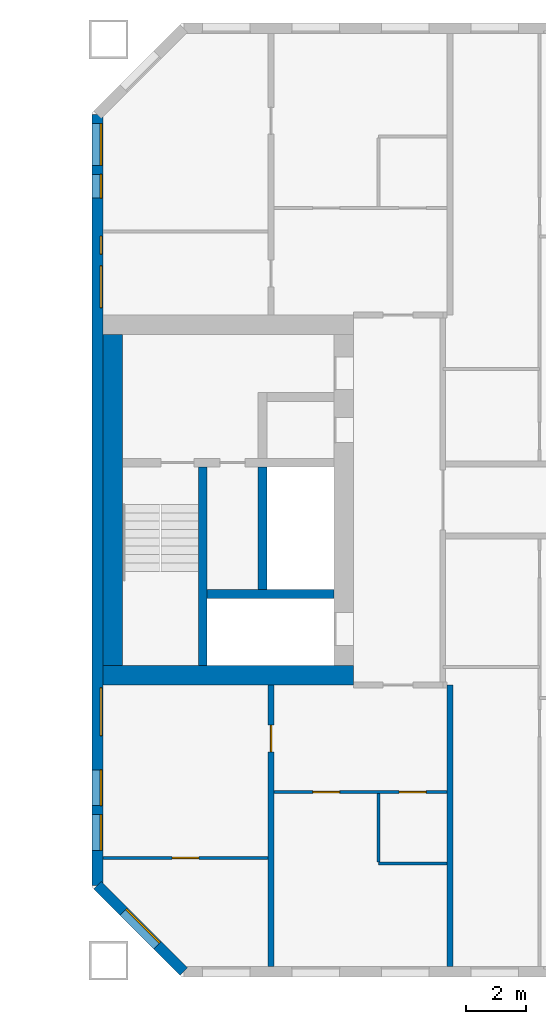
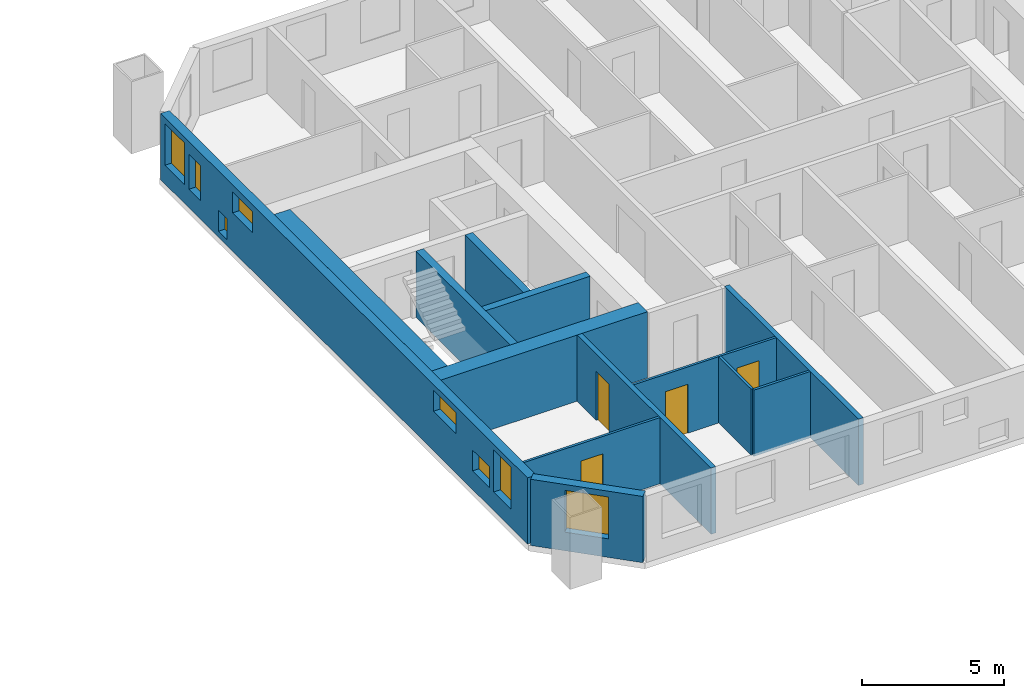
# One storey, part 9 of 17: 13 walls, 8 windows, 4 doors, 12 openings.
"""IFC4 building model written with IfcOpenShell, lengths in metres."""

from ifc_helpers import new_model, si_unit, direction, frame, frame_2d, origin, place, context, subcontext, project, spatial, rectangle, extrude, material, layer, layer_set, type_object, element, fill, save


model = new_model("IFC4")

# Units and contexts
model_context = context("Model", 3, precision=1e-05, world=origin(), true_north=direction((0.0, 1.0)))
body_context = subcontext(model_context, "Body", "Model", "MODEL_VIEW")
ifc_project = project(units=[si_unit("LENGTHUNIT", "METRE"), si_unit("AREAUNIT", "SQUARE_METRE"), si_unit("VOLUMEUNIT", "CUBIC_METRE"), si_unit("PLANEANGLEUNIT", "RADIAN"), si_unit("MASSUNIT", "GRAM", prefix="KILO")], contexts=[model_context])

# Site, building, storey
site_placement = place(None, origin())
site = spatial("IfcSite", under=ifc_project, at=site_placement, CompositionType="ELEMENT")
building_placement = place(site_placement, origin())
building = spatial("IfcBuilding", under=site, at=building_placement, Name="Tuart Gate Housing", CompositionType="ELEMENT")
storey_placement = place(building_placement, frame((0.0, 0.0, 108.800048828125)))
storey = spatial("IfcBuildingStorey", under=building, at=storey_placement, Name="L30", CompositionType="ELEMENT", Elevation=108.800048828125)

# Wall, opening, window
ifc_material_1 = material(Name="Brick", Category="masonry")
ifc_layer_1 = layer(ifc_material_1, 0.360107421875)
ifc_layer_set_1 = layer_set([ifc_layer_1], Name="Brick pier and spandrel wall 360")
wall_type_1 = type_object("IfcWallType", Name="Brick pier and spandrel wall 360", PredefinedType="STANDARD", material=ifc_layer_set_1)
wall_1_placement = place(storey_placement, frame((131.179931640625, 57.07470703125, 0.0), z_axis=(0.0, 0.0, 1.0), x_axis=(0.707106781187, -0.707106781187, 0.0)))
wall_1 = element("IfcWall", 1, at=wall_1_placement, inside=storey, type_object=wall_type_1, Name="External wall B-SW L30", PredefinedType="STANDARD", context=body_context, shape_type="SweptSolid", body=[
    extrude(rectangle(XDim=4.09375, YDim=0.360107421875, at=frame_2d((2.046875, 0.0))), origin(), (0.0, 0.0, 1.0), 2.849853515625),
])
opening_1_placement = place(wall_1_placement, frame((1.2470703125, 0.0, 0.800048828125)))
opening_1 = element("IfcOpeningElement", 2, at=opening_1_placement, cuts=wall_1, Name="Opening W1", PredefinedType="OPENING", context=body_context, shape_type="SweptSolid", body=[
    extrude(rectangle(XDim=1.60009765625, YDim=1.800048828125, at=frame_2d((0.800048828125, 0.89990234375))), frame((0.0, 0.18994140625, 0.0), z_axis=(0.0, -1.0, 0.0), x_axis=(1.0, 0.0, 0.0)), (0.0, 0.0, 1.0), 0.380126953125),
])
ifc_material_2 = material(Name="Aluminium frame with clear glass", Category="aluminium")
window_type_1 = type_object("IfcWindowType", Name="Punched window 1600 x 1800", PartitioningType="SINGLE_PANEL", PredefinedType="WINDOW", material=ifc_material_2)
window_1_placement = place(opening_1_placement, origin())
window_1 = element("IfcWindow", 3, at=window_1_placement, inside=storey, type_object=window_type_1, Name="Window W1", OverallHeight=1.800048828125, OverallWidth=1.60009765625, PartitioningType="SINGLE_PANEL", PredefinedType="WINDOW", context=body_context, shape_type="SweptSolid", body=[
    extrude(rectangle(XDim=1.60009765625, YDim=1.800048828125, at=frame_2d((0.800048828125, 0.89990234375))), frame((0.0, 0.150146484375, 0.0), z_axis=(0.0, -1.0, 0.0), x_axis=(1.0, 0.0, 0.0)), (0.0, 0.0, 1.0), 0.06005859375),
])
fill(opening_1, window_1)

# Wall, openings, windows
wall_2_placement = place(storey_placement, frame((131.179931640625, 82.92529296875, 0.0), z_axis=(0.0, 0.0, 1.0), x_axis=(0.0, -1.0, 0.0)))
wall_2 = element("IfcWall", 4, at=wall_2_placement, inside=storey, type_object=wall_type_1, Name="External wall B-W L30", PredefinedType="STANDARD", context=body_context, shape_type="SweptSolid", body=[
    extrude(rectangle(XDim=25.850830078125, YDim=0.360107421875, at=frame_2d((12.92529296875, 0.0))), origin(), (0.0, 0.0, 1.0), 2.849853515625),
])
opening_2_placement = place(wall_2_placement, frame((0.300048828125, 0.0, 0.800048828125)))
opening_2 = element("IfcOpeningElement", 5, at=opening_2_placement, cuts=wall_2, Name="Opening W1A", PredefinedType="OPENING", context=body_context, shape_type="SweptSolid", body=[
    extrude(rectangle(XDim=1.39990234375, YDim=1.800048828125, at=frame_2d((0.699951171875, 0.89990234375))), frame((0.0, 0.18994140625, 0.0), z_axis=(0.0, -1.0, 0.0), x_axis=(1.0, 0.0, 0.0)), (0.0, 0.0, 1.0), 0.380126953125),
])
opening_3_placement = place(wall_2_placement, frame((4.075439453125, 0.0, 0.25)))
opening_3 = element("IfcOpeningElement", 6, at=opening_3_placement, cuts=wall_2, Name="Opening W1W", PredefinedType="OPENING", context=body_context, shape_type="SweptSolid", body=[
    extrude(rectangle(XDim=0.60009765625, YDim=0.89990234375, at=frame_2d((0.300048828125, 0.449951171875))), frame((0.0, 0.18994140625, 0.0), z_axis=(0.0, -1.0, 0.0), x_axis=(1.0, 0.0, 0.0)), (0.0, 0.0, 1.0), 0.380126953125),
])
opening_4_placement = place(wall_2_placement, frame((19.225341796875, 0.0, 1.699951171875)))
opening_4 = element("IfcOpeningElement", 7, at=opening_4_placement, cuts=wall_2, Name="Opening W1R", PredefinedType="OPENING", context=body_context, shape_type="SweptSolid", body=[
    extrude(rectangle(XDim=1.60009765625, YDim=0.89990234375, at=frame_2d((0.800048828125, 0.449951171875))), frame((0.0, 0.18994140625, 0.0), z_axis=(0.0, -1.0, 0.0), x_axis=(1.0, 0.0, 0.0)), (0.0, 0.0, 1.0), 0.380126953125),
])
opening_5_placement = place(wall_2_placement, frame((21.975341796875, 0.0, 0.800048828125)))
opening_5 = element("IfcOpeningElement", 8, at=opening_5_placement, cuts=wall_2, Name="Opening W1T", PredefinedType="OPENING", context=body_context, shape_type="SweptSolid", body=[
    extrude(rectangle(XDim=1.199951171875, YDim=0.89990234375, at=frame_2d((0.60009765625, 0.449951171875))), frame((0.0, 0.18994140625, 0.0), z_axis=(0.0, -1.0, 0.0), x_axis=(1.0, 0.0, 0.0)), (0.0, 0.0, 1.0), 0.380126953125),
])
opening_6_placement = place(wall_2_placement, frame((2.0, 0.0, 0.800048828125)))
opening_6 = element("IfcOpeningElement", 9, at=opening_6_placement, cuts=wall_2, Name="Opening W1J", PredefinedType="OPENING", context=body_context, shape_type="SweptSolid", body=[
    extrude(rectangle(XDim=0.800048828125, YDim=1.5, at=frame_2d((0.39990234375, 0.75))), frame((0.0, 0.18994140625, 0.0), z_axis=(0.0, -1.0, 0.0), x_axis=(1.0, 0.0, 0.0)), (0.0, 0.0, 1.0), 0.380126953125),
])
opening_7_placement = place(wall_2_placement, frame((5.075439453125, 0.0, 1.64990234375)))
opening_7 = element("IfcOpeningElement", 10, at=opening_7_placement, cuts=wall_2, Name="Opening W1S", PredefinedType="OPENING", context=body_context, shape_type="SweptSolid", body=[
    extrude(rectangle(XDim=1.39990234375, YDim=0.89990234375, at=frame_2d((0.699951171875, 0.449951171875))), frame((0.0, 0.18994140625, 0.0), z_axis=(0.0, -1.0, 0.0), x_axis=(1.0, 0.0, 0.0)), (0.0, 0.0, 1.0), 0.380126953125),
])
opening_8_placement = place(wall_2_placement, frame((23.475341796875, 0.0, 0.800048828125)))
opening_8 = element("IfcOpeningElement", 11, at=opening_8_placement, cuts=wall_2, Name="Opening W1B", PredefinedType="OPENING", context=body_context, shape_type="SweptSolid", body=[
    extrude(rectangle(XDim=1.199951171875, YDim=1.800048828125, at=frame_2d((0.60009765625, 0.89990234375))), frame((0.0, 0.18994140625, 0.0), z_axis=(0.0, -1.0, 0.0), x_axis=(1.0, 0.0, 0.0)), (0.0, 0.0, 1.0), 0.380126953125),
])
ifc_material_3 = material(Name="Aluminium frame with clear glass", Category="aluminium")
window_type_2 = type_object("IfcWindowType", Name="Punched window 1200 x 1800", PartitioningType="SINGLE_PANEL", PredefinedType="WINDOW", material=ifc_material_3)
window_2_placement = place(opening_8_placement, origin())
window_2 = element("IfcWindow", 12, at=window_2_placement, inside=storey, type_object=window_type_2, Name="Window W1B", OverallHeight=1.800048828125, OverallWidth=1.199951171875, PartitioningType="SINGLE_PANEL", PredefinedType="WINDOW", context=body_context, shape_type="SweptSolid", body=[
    extrude(rectangle(XDim=1.199951171875, YDim=1.800048828125, at=frame_2d((0.60009765625, 0.89990234375))), frame((0.0, 0.150146484375, 0.0), z_axis=(0.0, -1.0, 0.0), x_axis=(1.0, 0.0, 0.0)), (0.0, 0.0, 1.0), 0.06005859375),
])
fill(opening_8, window_2)
ifc_material_4 = material(Name="Aluminium frame with clear glass", Category="aluminium")
window_type_3 = type_object("IfcWindowType", Name="Punched window 1200 x 900", PartitioningType="SINGLE_PANEL", PredefinedType="WINDOW", material=ifc_material_4)
window_3_placement = place(opening_5_placement, origin())
window_3 = element("IfcWindow", 13, at=window_3_placement, inside=storey, type_object=window_type_3, Name="Window W1T", OverallHeight=0.89990234375, OverallWidth=1.199951171875, PartitioningType="SINGLE_PANEL", PredefinedType="WINDOW", context=body_context, shape_type="SweptSolid", body=[
    extrude(rectangle(XDim=1.199951171875, YDim=0.89990234375, at=frame_2d((0.60009765625, 0.449951171875))), frame((0.0, 0.150146484375, 0.0), z_axis=(0.0, -1.0, 0.0), x_axis=(1.0, 0.0, 0.0)), (0.0, 0.0, 1.0), 0.06005859375),
])
fill(opening_5, window_3)
ifc_material_5 = material(Name="Aluminium frame with clear glass", Category="aluminium")
window_type_4 = type_object("IfcWindowType", Name="Punched window 1400 x 1800", PartitioningType="SINGLE_PANEL", PredefinedType="WINDOW", material=ifc_material_5)
window_4_placement = place(opening_2_placement, origin())
window_4 = element("IfcWindow", 14, at=window_4_placement, inside=storey, type_object=window_type_4, Name="Window W1A", OverallHeight=1.800048828125, OverallWidth=1.39990234375, PartitioningType="SINGLE_PANEL", PredefinedType="WINDOW", context=body_context, shape_type="SweptSolid", body=[
    extrude(rectangle(XDim=1.39990234375, YDim=1.800048828125, at=frame_2d((0.699951171875, 0.89990234375))), frame((0.0, 0.150146484375, 0.0), z_axis=(0.0, -1.0, 0.0), x_axis=(1.0, 0.0, 0.0)), (0.0, 0.0, 1.0), 0.06005859375),
])
fill(opening_2, window_4)
ifc_material_6 = material(Name="Aluminium frame with clear glass", Category="aluminium")
window_type_5 = type_object("IfcWindowType", Name="Punched window 1400 x 900", PartitioningType="SINGLE_PANEL", PredefinedType="WINDOW", material=ifc_material_6)
window_5_placement = place(opening_7_placement, origin())
window_5 = element("IfcWindow", 15, at=window_5_placement, inside=storey, type_object=window_type_5, Name="Window W1S", OverallHeight=0.89990234375, OverallWidth=1.39990234375, PartitioningType="SINGLE_PANEL", PredefinedType="WINDOW", context=body_context, shape_type="SweptSolid", body=[
    extrude(rectangle(XDim=1.39990234375, YDim=0.89990234375, at=frame_2d((0.699951171875, 0.449951171875))), frame((0.0, 0.150146484375, 0.0), z_axis=(0.0, -1.0, 0.0), x_axis=(1.0, 0.0, 0.0)), (0.0, 0.0, 1.0), 0.06005859375),
])
fill(opening_7, window_5)
ifc_material_7 = material(Name="Aluminium frame with clear glass", Category="aluminium")
window_type_6 = type_object("IfcWindowType", Name="Punched window 1600 x 900", PartitioningType="SINGLE_PANEL", PredefinedType="WINDOW", material=ifc_material_7)
window_6_placement = place(opening_4_placement, origin())
window_6 = element("IfcWindow", 16, at=window_6_placement, inside=storey, type_object=window_type_6, Name="Window W1R", OverallHeight=0.89990234375, OverallWidth=1.60009765625, PartitioningType="SINGLE_PANEL", PredefinedType="WINDOW", context=body_context, shape_type="SweptSolid", body=[
    extrude(rectangle(XDim=1.60009765625, YDim=0.89990234375, at=frame_2d((0.800048828125, 0.449951171875))), frame((0.0, 0.150146484375, 0.0), z_axis=(0.0, -1.0, 0.0), x_axis=(1.0, 0.0, 0.0)), (0.0, 0.0, 1.0), 0.06005859375),
])
fill(opening_4, window_6)
ifc_material_8 = material(Name="Aluminium frame with clear glass", Category="aluminium")
window_type_7 = type_object("IfcWindowType", Name="Punched window 600 x 900", PartitioningType="SINGLE_PANEL", PredefinedType="WINDOW", material=ifc_material_8)
window_7_placement = place(opening_3_placement, origin())
window_7 = element("IfcWindow", 17, at=window_7_placement, inside=storey, type_object=window_type_7, Name="Window W1W", OverallHeight=0.89990234375, OverallWidth=0.60009765625, PartitioningType="SINGLE_PANEL", PredefinedType="WINDOW", context=body_context, shape_type="SweptSolid", body=[
    extrude(rectangle(XDim=0.60009765625, YDim=0.89990234375, at=frame_2d((0.300048828125, 0.449951171875))), frame((0.0, 0.150146484375, 0.0), z_axis=(0.0, -1.0, 0.0), x_axis=(1.0, 0.0, 0.0)), (0.0, 0.0, 1.0), 0.06005859375),
])
fill(opening_3, window_7)
ifc_material_9 = material(Name="Aluminium frame with clear glass", Category="aluminium")
window_type_8 = type_object("IfcWindowType", Name="Punched window 800 x 1500", PartitioningType="SINGLE_PANEL", PredefinedType="WINDOW", material=ifc_material_9)
window_8_placement = place(opening_6_placement, origin())
window_8 = element("IfcWindow", 18, at=window_8_placement, inside=storey, type_object=window_type_8, Name="Window W1J", OverallHeight=1.5, OverallWidth=0.800048828125, PartitioningType="SINGLE_PANEL", PredefinedType="WINDOW", context=body_context, shape_type="SweptSolid", body=[
    extrude(rectangle(XDim=0.800048828125, YDim=1.5, at=frame_2d((0.39990234375, 0.75))), frame((0.0, 0.150146484375, 0.0), z_axis=(0.0, -1.0, 0.0), x_axis=(1.0, 0.0, 0.0)), (0.0, 0.0, 1.0), 0.06005859375),
])
fill(opening_6, window_8)

# Walls
ifc_material_10 = material(Name="Concrete C50", Category="concrete")
ifc_layer_2 = layer(ifc_material_10, 0.300048828125)
ifc_layer_set_2 = layer_set([ifc_layer_2], Name="Core wall 300 C50")
wall_type_2 = type_object("IfcWallType", Name="Core wall 300 C50", PredefinedType="SHEAR", material=ifc_layer_set_2)
wall_3_placement = place(storey_placement, frame((139.110107421875, 66.85009765625, 0.0), z_axis=(0.0, 0.0, 1.0), x_axis=(-1.0, 0.0, 0.0)))
element("IfcWall", 19, at=wall_3_placement, inside=storey, type_object=wall_type_2, Name="Core wall BG.1", PredefinedType="SHEAR", context=body_context, shape_type="SweptSolid", body=[
    extrude(rectangle(XDim=4.25, YDim=0.300048828125, at=frame_2d((2.125, 0.0))), origin(), (0.0, 0.0, 1.0), 2.849853515625),
])
wall_4_placement = place(storey_placement, frame((136.7099609375, 67.0, 0.0), z_axis=(0.0, 0.0, 1.0), x_axis=(0.0, 1.0, 0.0)))
element("IfcWall", 20, at=wall_4_placement, inside=storey, type_object=wall_type_2, Name="Core wall BG.4", PredefinedType="SHEAR", context=body_context, shape_type="SweptSolid", body=[
    extrude(rectangle(XDim=4.10009765625, YDim=0.300048828125, at=frame_2d((2.050048828125, 0.0))), origin(), (0.0, 0.0, 1.0), 2.849853515625),
])
wall_5_placement = place(storey_placement, frame((134.7099609375, 64.449951171875, 0.0), z_axis=(0.0, 0.0, 1.0), x_axis=(0.0, 1.0, 0.0)))
element("IfcWall", 21, at=wall_5_placement, inside=storey, type_object=wall_type_2, Name="Core wall BG.6", PredefinedType="SHEAR", context=body_context, shape_type="SweptSolid", body=[
    extrude(rectangle(XDim=6.650146484375, YDim=0.300048828125, at=frame_2d((3.3251953125, 0.0))), origin(), (0.0, 0.0, 1.0), 2.849853515625),
])
ifc_material_11 = material(Name="Concrete C50", Category="concrete")
ifc_layer_3 = layer(ifc_material_11, 0.64990234375)
ifc_layer_set_3 = layer_set([ifc_layer_3], Name="Core wall 650 C50")
wall_type_3 = type_object("IfcWallType", Name="Core wall 650 C50", PredefinedType="SHEAR", material=ifc_layer_set_3)
wall_6_placement = place(storey_placement, frame((131.68505859375, 64.449951171875, 0.0), z_axis=(0.0, 0.0, 1.0), x_axis=(0.0, 1.0, 0.0)))
element("IfcWall", 22, at=wall_6_placement, inside=storey, type_object=wall_type_3, Name="Core wall BG back", PredefinedType="SHEAR", context=body_context, shape_type="SweptSolid", body=[
    extrude(rectangle(XDim=11.10009765625, YDim=0.64990234375, at=frame_2d((5.550048828125, 0.0))), origin(), (0.0, 0.0, 1.0), 2.849853515625),
])
wall_7_placement = place(storey_placement, frame((139.760009765625, 64.125, 0.0), z_axis=(0.0, 0.0, 1.0), x_axis=(-1.0, 0.0, 0.0)))
element("IfcWall", 23, at=wall_7_placement, inside=storey, type_object=wall_type_3, Name="Core wall BG south", PredefinedType="SHEAR", context=body_context, shape_type="SweptSolid", body=[
    extrude(rectangle(XDim=8.39990234375, YDim=0.64990234375, at=frame_2d((4.199951171875, 0.0))), origin(), (0.0, 0.0, 1.0), 2.849853515625),
])
ifc_material_12 = material(Name="Gypsum board on steel studs", Category="steel")
ifc_layer_4 = layer(ifc_material_12, 0.10009765625)
ifc_layer_set_4 = layer_set([ifc_layer_4], Name="Partition 100")
wall_type_4 = type_object("IfcWallType", Name="Partition 100", PredefinedType="PARTITIONING", material=ifc_layer_set_4)
wall_8_placement = place(storey_placement, frame((140.60009765625, 57.800048828125, 0.0), z_axis=(0.0, 0.0, 1.0), x_axis=(1.0, 0.0, 0.0)))
element("IfcWall", 24, at=wall_8_placement, inside=storey, type_object=wall_type_4, Name="Partition 100", PredefinedType="PARTITIONING", context=body_context, shape_type="SweptSolid", body=[
    extrude(rectangle(XDim=2.2998046875, YDim=0.10009765625, at=frame_2d((1.14990234375, 0.0))), origin(), (0.0, 0.0, 1.0), 2.849853515625),
])

# Wall, opening, door
wall_9_placement = place(storey_placement, frame((131.360107421875, 58.0, 0.0), z_axis=(0.0, 0.0, 1.0), x_axis=(1.0, 0.0, 0.0)))
wall_9 = element("IfcWall", 25, at=wall_9_placement, inside=storey, type_object=wall_type_4, Name="Partition 100", PredefinedType="PARTITIONING", context=body_context, shape_type="SweptSolid", body=[
    extrude(rectangle(XDim=5.539794921875, YDim=0.10009765625, at=frame_2d((2.77001953125, 0.0))), origin(), (0.0, 0.0, 1.0), 2.849853515625),
])
opening_9_placement = place(wall_9_placement, frame((2.320068359375, 0.0, 0.0)))
opening_9 = element("IfcOpeningElement", 26, at=opening_9_placement, cuts=wall_9, Name="Opening D1289", PredefinedType="OPENING", context=body_context, shape_type="SweptSolid", body=[
    extrude(rectangle(XDim=0.89990234375, YDim=2.10009765625, at=frame_2d((0.449951171875, 1.050048828125))), frame((0.0, 0.06005859375, 0.0), z_axis=(0.0, -1.0, 0.0), x_axis=(1.0, 0.0, 0.0)), (0.0, 0.0, 1.0), 0.1201171875),
])
ifc_material_13 = material(Name="Timber door leaf in steel frame", Category="steel")
door_type_1 = type_object("IfcDoorType", Name="Internal door 900 RH", OperationType="SINGLE_SWING_RIGHT", PredefinedType="DOOR", material=ifc_material_13)
door_1_placement = place(opening_9_placement, frame((0.89990234375, 0.0, 0.0), z_axis=(0.0, 0.0, 1.0), x_axis=(-1.0, 0.0, 0.0)))
door_1 = element("IfcDoor", 27, at=door_1_placement, inside=storey, type_object=door_type_1, Name="Internal door", OperationType="SINGLE_SWING_RIGHT", OverallHeight=2.10009765625, OverallWidth=0.89990234375, PredefinedType="DOOR", context=body_context, shape_type="SweptSolid", body=[
    extrude(rectangle(XDim=0.89990234375, YDim=2.10009765625, at=frame_2d((0.449951171875, 1.050048828125))), frame((0.0, 0.025146484375, 0.0), z_axis=(0.0, -1.0, 0.0), x_axis=(1.0, 0.0, 0.0)), (0.0, 0.0, 1.0), 0.050048828125),
])
fill(opening_9, door_1)

# Wall, openings, doors
wall_10_placement = place(storey_placement, frame((137.10009765625, 60.199951171875, 0.0), z_axis=(0.0, 0.0, 1.0), x_axis=(1.0, 0.0, 0.0)))
wall_10 = element("IfcWall", 28, at=wall_10_placement, inside=storey, type_object=wall_type_4, Name="Partition 100", PredefinedType="PARTITIONING", context=body_context, shape_type="SweptSolid", body=[
    extrude(rectangle(XDim=5.7998046875, YDim=0.10009765625, at=frame_2d((2.89990234375, 0.0))), origin(), (0.0, 0.0, 1.0), 2.849853515625),
])
opening_10_placement = place(wall_10_placement, frame((1.300048828125, 0.0, 0.0)))
opening_10 = element("IfcOpeningElement", 29, at=opening_10_placement, cuts=wall_10, Name="Opening D1284", PredefinedType="OPENING", context=body_context, shape_type="SweptSolid", body=[
    extrude(rectangle(XDim=0.89990234375, YDim=2.10009765625, at=frame_2d((0.449951171875, 1.050048828125))), frame((0.0, 0.06005859375, 0.0), z_axis=(0.0, -1.0, 0.0), x_axis=(1.0, 0.0, 0.0)), (0.0, 0.0, 1.0), 0.1201171875),
])
opening_11_placement = place(wall_10_placement, frame((4.199951171875, 0.0, 0.0)))
opening_11 = element("IfcOpeningElement", 30, at=opening_11_placement, cuts=wall_10, Name="Opening D1283", PredefinedType="OPENING", context=body_context, shape_type="SweptSolid", body=[
    extrude(rectangle(XDim=0.89990234375, YDim=2.10009765625, at=frame_2d((0.449951171875, 1.050048828125))), frame((0.0, 0.06005859375, 0.0), z_axis=(0.0, -1.0, 0.0), x_axis=(1.0, 0.0, 0.0)), (0.0, 0.0, 1.0), 0.1201171875),
])
ifc_material_14 = material(Name="Timber door leaf in steel frame", Category="steel")
door_type_2 = type_object("IfcDoorType", Name="Bathroom door 900 RH", OperationType="SINGLE_SWING_RIGHT", PredefinedType="DOOR", material=ifc_material_14)
door_2_placement = place(opening_11_placement, frame((0.89990234375, 0.0, 0.0), z_axis=(0.0, 0.0, 1.0), x_axis=(-1.0, 0.0, 0.0)))
door_2 = element("IfcDoor", 31, at=door_2_placement, inside=storey, type_object=door_type_2, Name="Bathroom door", OperationType="SINGLE_SWING_RIGHT", OverallHeight=2.10009765625, OverallWidth=0.89990234375, PredefinedType="DOOR", context=body_context, shape_type="SweptSolid", body=[
    extrude(rectangle(XDim=0.89990234375, YDim=2.10009765625, at=frame_2d((0.449951171875, 1.050048828125))), frame((0.0, 0.025146484375, 0.0), z_axis=(0.0, -1.0, 0.0), x_axis=(1.0, 0.0, 0.0)), (0.0, 0.0, 1.0), 0.050048828125),
])
fill(opening_11, door_2)
ifc_material_15 = material(Name="Timber door leaf in steel frame", Category="steel")
door_type_3 = type_object("IfcDoorType", Name="Internal door 900", OperationType="SINGLE_SWING_LEFT", PredefinedType="DOOR", material=ifc_material_15)
door_3_placement = place(opening_10_placement, frame((0.89990234375, 0.0, 0.0), z_axis=(0.0, 0.0, 1.0), x_axis=(-1.0, 0.0, 0.0)))
door_3 = element("IfcDoor", 32, at=door_3_placement, inside=storey, type_object=door_type_3, Name="Internal door", OperationType="SINGLE_SWING_LEFT", OverallHeight=2.10009765625, OverallWidth=0.89990234375, PredefinedType="DOOR", context=body_context, shape_type="SweptSolid", body=[
    extrude(rectangle(XDim=0.89990234375, YDim=2.10009765625, at=frame_2d((0.449951171875, 1.050048828125))), frame((0.0, 0.025146484375, 0.0), z_axis=(0.0, -1.0, 0.0), x_axis=(1.0, 0.0, 0.0)), (0.0, 0.0, 1.0), 0.050048828125),
])
fill(opening_10, door_3)

# Wall
wall_11_placement = place(storey_placement, frame((140.60009765625, 57.85009765625, 0.0), z_axis=(0.0, 0.0, 1.0), x_axis=(0.0, 1.0, 0.0)))
element("IfcWall", 33, at=wall_11_placement, inside=storey, type_object=wall_type_4, Name="Partition 100", PredefinedType="PARTITIONING", context=body_context, shape_type="SweptSolid", body=[
    extrude(rectangle(XDim=2.2998046875, YDim=0.10009765625, at=frame_2d((1.14990234375, 0.0))), origin(), (0.0, 0.0, 1.0), 2.849853515625),
])

# Wall, opening, door
ifc_material_16 = material(Name="Concrete C40", Category="concrete")
ifc_layer_5 = layer(ifc_material_16, 0.199951171875)
ifc_layer_set_5 = layer_set([ifc_layer_5], Name="Party wall concrete C40 200")
wall_type_5 = type_object("IfcWallType", Name="Party wall concrete C40 200", PredefinedType="SOLIDWALL", material=ifc_layer_set_5)
wall_12_placement = place(storey_placement, frame((137.0, 54.360107421875, 0.0), z_axis=(0.0, 0.0, 1.0), x_axis=(0.0, 1.0, 0.0)))
wall_12 = element("IfcWall", 34, at=wall_12_placement, inside=storey, type_object=wall_type_5, Name="Party wall concrete C40 200", PredefinedType="SOLIDWALL", context=body_context, shape_type="SweptSolid", body=[
    extrude(rectangle(XDim=9.43994140625, YDim=0.199951171875, at=frame_2d((4.719970703125, 0.0))), origin(), (0.0, 0.0, 1.0), 2.849853515625),
])
opening_12_placement = place(wall_12_placement, frame((7.18994140625, 0.0, 0.0)))
opening_12 = element("IfcOpeningElement", 35, at=opening_12_placement, cuts=wall_12, Name="Opening D1288", PredefinedType="OPENING", context=body_context, shape_type="SweptSolid", body=[
    extrude(rectangle(XDim=0.89990234375, YDim=2.10009765625, at=frame_2d((0.449951171875, 1.050048828125))), frame((0.0, 0.10986328125, 0.0), z_axis=(0.0, -1.0, 0.0), x_axis=(1.0, 0.0, 0.0)), (0.0, 0.0, 1.0), 0.219970703125),
])
door_4_placement = place(opening_12_placement, frame((0.89990234375, 0.0, 0.0), z_axis=(0.0, 0.0, 1.0), x_axis=(-1.0, 0.0, 0.0)))
door_4 = element("IfcDoor", 36, at=door_4_placement, inside=storey, type_object=door_type_1, Name="Internal door", OperationType="SINGLE_SWING_RIGHT", OverallHeight=2.10009765625, OverallWidth=0.89990234375, PredefinedType="DOOR", context=body_context, shape_type="SweptSolid", body=[
    extrude(rectangle(XDim=0.89990234375, YDim=2.10009765625, at=frame_2d((0.449951171875, 1.050048828125))), frame((0.0, 0.025146484375, 0.0), z_axis=(0.0, -1.0, 0.0), x_axis=(1.0, 0.0, 0.0)), (0.0, 0.0, 1.0), 0.050048828125),
])
fill(opening_12, door_4)

# Wall
wall_13_placement = place(storey_placement, frame((143.0, 54.360107421875, 0.0), z_axis=(0.0, 0.0, 1.0), x_axis=(0.0, 1.0, 0.0)))
element("IfcWall", 37, at=wall_13_placement, inside=storey, type_object=wall_type_5, Name="Party wall concrete C40 200", PredefinedType="SOLIDWALL", context=body_context, shape_type="SweptSolid", body=[
    extrude(rectangle(XDim=9.43994140625, YDim=0.199951171875, at=frame_2d((4.719970703125, 0.0))), origin(), (0.0, 0.0, 1.0), 2.849853515625),
])

save(model, "model.ifc")
